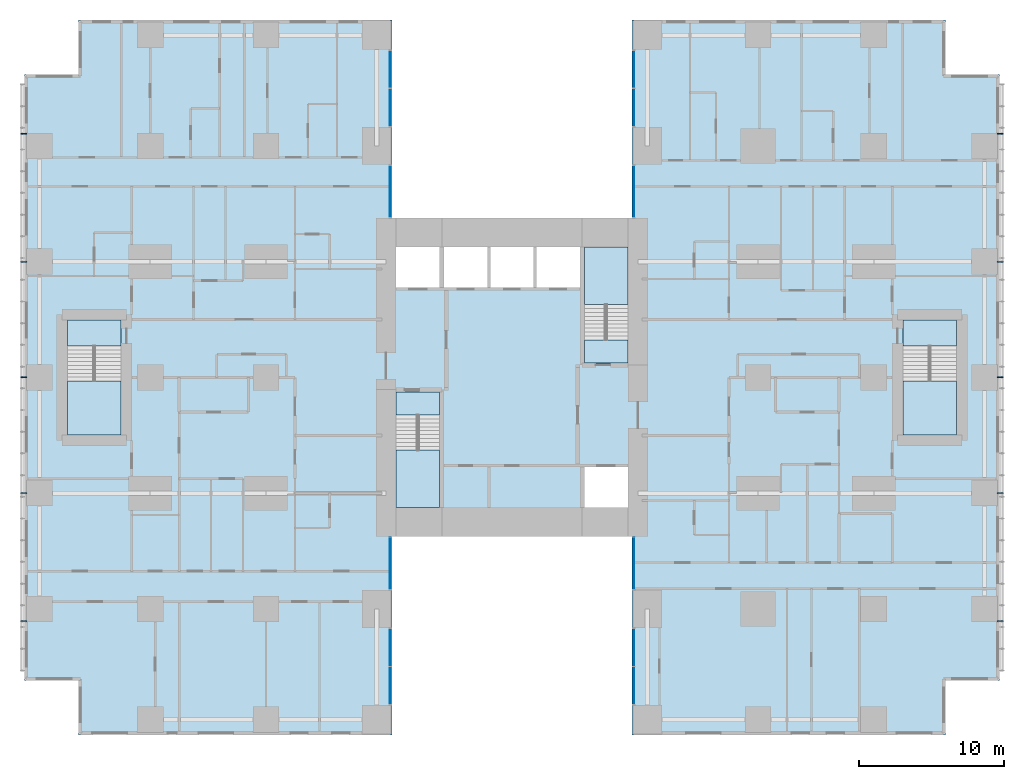
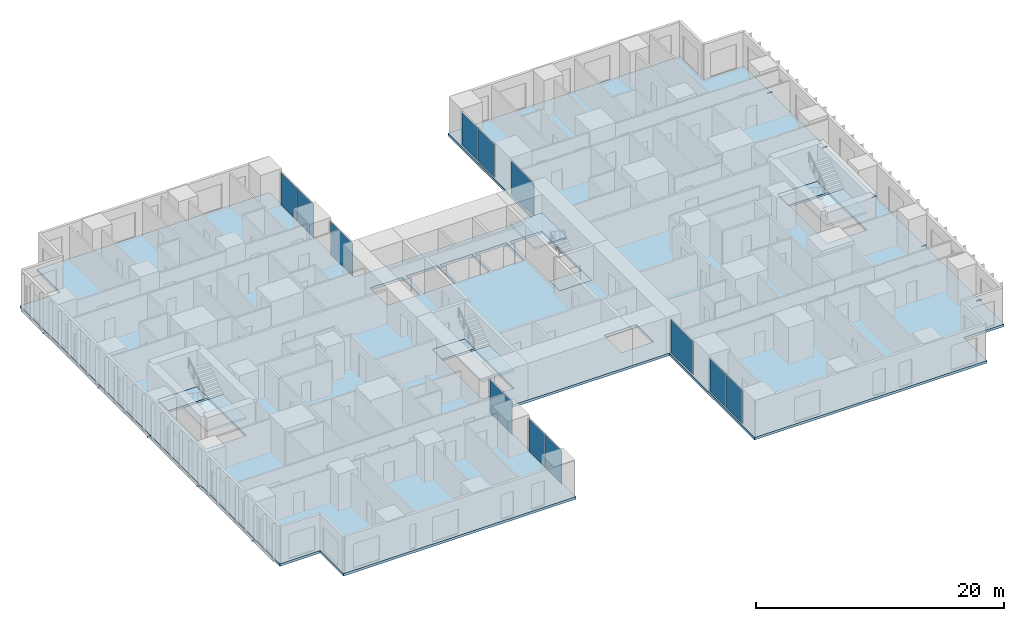
# One storey, part 7 of 20: 12 plates, 10 members, 9 slabs, 12 elements without a shape of their own.
"""IFC4 building model written with IfcOpenShell, lengths in metres."""

from ifc_helpers import new_model, si_unit, direction, frame, origin, origin_2d, place, context, subcontext, project, spatial, polyline, rectangle, hollow_rectangle, outline, extrude, material, layer, layer_set, material_profile, profile_set, type_object, element, aggregate, save


model = new_model("IFC4")

# Units and contexts
model_context = context("Model", 3, precision=1e-05, world=origin(), true_north=direction((0.0, 1.0)))
body_context = subcontext(model_context, "Body", "Model", "MODEL_VIEW")
ifc_project = project(units=[si_unit("LENGTHUNIT", "METRE"), si_unit("AREAUNIT", "SQUARE_METRE"), si_unit("VOLUMEUNIT", "CUBIC_METRE"), si_unit("PLANEANGLEUNIT", "RADIAN"), si_unit("MASSUNIT", "GRAM", prefix="KILO")], contexts=[model_context])

# Site, building, storey
site_placement = place(None, origin())
site = spatial("IfcSite", under=ifc_project, at=site_placement, CompositionType="ELEMENT")
building_placement = place(site_placement, origin())
building = spatial("IfcBuilding", under=site, at=building_placement, Name="Cleftline Residences", CompositionType="ELEMENT")
storey_placement = place(building_placement, frame((0.0, 0.0, 207.39990234375)))
storey = spatial("IfcBuildingStorey", under=building, at=storey_placement, Name="L54", CompositionType="ELEMENT", Elevation=207.39990234375)

# Members
ifc_material_1 = material(Name="Steel S355, hot-dip galvanised", Category="steel")
ifc_material_profile = material_profile(ifc_material_1, hollow_rectangle(XDim=0.10009765625, YDim=0.10009765625, WallThickness=0.008056640625, InnerFilletRadius=0.008056640625, OuterFilletRadius=0.011962890625, at=origin_2d()))
ifc_profile_set = profile_set([ifc_material_profile], Name="Steel S355, hot-dip galvanised")
member_type = type_object("IfcMemberType", Name="BAGUETTE BRACKET SHS 100X100X8", PredefinedType="USERDEFINED", material=ifc_profile_set)
for number, where, z_axis, x_axis, name in (
    (1, (66.5, 7.14990234375, -0.14990234375), (1.0, 0.0, 0.0), (0.0, 1.0, 0.0), "Baguette bracket"),
    (2, (66.5, 16.0, -0.14990234375), (1.0, 0.0, 0.0), (0.0, 1.0, 0.0), "Baguette bracket"),
    (3, (66.5, 24.0, -0.14990234375), (1.0, 0.0, 0.0), (0.0, 1.0, 0.0), "Baguette bracket"),
    (4, (66.5, 32.0, -0.14990234375), (1.0, 0.0, 0.0), (0.0, 1.0, 0.0), "Baguette bracket"),
    (5, (66.5, 40.85009765625, -0.14990234375), (1.0, 0.0, 0.0), (0.0, 1.0, 0.0), "Baguette bracket"),
    (6, (-0.5, 40.85009765625, -0.14990234375), (-1.0, 0.0, 0.0), (0.0, -1.0, 0.0), "Baguette bracket"),
    (7, (-0.5, 32.0, -0.14990234375), (-1.0, 0.0, 0.0), (0.0, -1.0, 0.0), "Baguette bracket"),
    (8, (-0.5, 24.0, -0.14990234375), (-1.0, 0.0, 0.0), (0.0, -1.0, 0.0), "Baguette bracket"),
    (9, (-0.5, 16.0, -0.14990234375), (-1.0, 0.0, 0.0), (0.0, -1.0, 0.0), "Baguette bracket"),
    (10, (-0.5, 7.14990234375, -0.14990234375), (-1.0, 0.0, 0.0), (0.0, -1.0, 0.0), "Baguette bracket"),
):
    element("IfcMember", number, at=place(storey_placement, frame(where, z_axis=z_axis, x_axis=x_axis)), inside=storey, type_object=member_type, Name=name, ObjectType="BAGUETTE BRACKET", PredefinedType="USERDEFINED", context=body_context, shape_type="SweptSolid", body=[
        extrude(hollow_rectangle(XDim=0.10009765625, YDim=0.10009765625, WallThickness=0.008056640625, InnerFilletRadius=0.008056640625, OuterFilletRadius=0.011962890625, at=origin_2d()), origin(), (0.0, 0.0, 1.0), 0.449951171875),
    ])

# Curtain wall, plates
ifc_material_2 = material(Name="Aluminium framed curtain wall", Category="aluminium")
ifc_layer_1 = layer(ifc_material_2, 0.199951171875)
ifc_layer_set_1 = layer_set([ifc_layer_1], Name="CW1 CLEFT GLAZING")
curtain_wall_type = type_object("IfcCurtainWallType", Name="CW1 CLEFT GLAZING", PredefinedType="NOTDEFINED", material=ifc_layer_set_1)
curtain_wall_1_placement = place(storey_placement, origin())
curtain_wall_1 = element("IfcCurtainWall", 11, at=curtain_wall_1_placement, inside=storey, type_object=curtain_wall_type, Name="Curtain wall CW1", PredefinedType="NOTDEFINED")
ifc_material_3 = material(Name="Laminated clear glass", Category="glass")
ifc_layer_2 = layer(ifc_material_3, 0.028076171875)
ifc_layer_set_2 = layer_set([ifc_layer_2], Name="CW1 GLASS PANEL")
plate_type = type_object("IfcPlateType", Name="CW1 GLASS PANEL", PredefinedType="CURTAIN_PANEL", material=ifc_layer_set_2)
plate_1_placement = place(storey_placement, frame((24.574951171875, 2.702392578125, 0.06005859375), z_axis=(0.0, 0.0, 1.0), x_axis=(0.0, 1.0, 0.0)))
plate_1 = element("IfcPlate", 12, at=plate_1_placement, type_object=plate_type, Name="CW1 panel 1.1", PredefinedType="CURTAIN_PANEL", context=body_context, shape_type="SweptSolid", body=[
    extrude(rectangle(XDim=2.5849609375, YDim=0.028076171875, at=origin_2d()), origin(), (0.0, 0.0, 1.0), 3.22998046875),
])
plate_2_placement = place(storey_placement, frame((24.574951171875, 5.347412109375, 0.06005859375), z_axis=(0.0, 0.0, 1.0), x_axis=(0.0, 1.0, 0.0)))
plate_2 = element("IfcPlate", 13, at=plate_2_placement, type_object=plate_type, Name="CW1 panel 2.1", PredefinedType="CURTAIN_PANEL", context=body_context, shape_type="SweptSolid", body=[
    extrude(rectangle(XDim=2.5849609375, YDim=0.028076171875, at=origin_2d()), origin(), (0.0, 0.0, 1.0), 3.22998046875),
])
aggregate(curtain_wall_1, [plate_1, plate_2])

# Curtain wall, plate
curtain_wall_2_placement = place(storey_placement, origin())
curtain_wall_2 = element("IfcCurtainWall", 14, at=curtain_wall_2_placement, inside=storey, type_object=curtain_wall_type, Name="Curtain wall CW1", PredefinedType="NOTDEFINED")
plate_3_placement = place(storey_placement, frame((24.574951171875, 11.14990234375, 0.06005859375), z_axis=(0.0, 0.0, 1.0), x_axis=(0.0, 1.0, 0.0)))
plate_3 = element("IfcPlate", 15, at=plate_3_placement, type_object=plate_type, Name="CW1 panel 1.1", PredefinedType="CURTAIN_PANEL", context=body_context, shape_type="SweptSolid", body=[
    extrude(rectangle(XDim=3.580078125, YDim=0.028076171875, at=origin_2d()), origin(), (0.0, 0.0, 1.0), 3.22998046875),
])
aggregate(curtain_wall_2, [plate_3])

curtain_wall_3_placement = place(storey_placement, origin())
curtain_wall_3 = element("IfcCurtainWall", 16, at=curtain_wall_3_placement, inside=storey, type_object=curtain_wall_type, Name="Curtain wall CW1", PredefinedType="NOTDEFINED")
plate_4_placement = place(storey_placement, frame((41.425048828125, 11.14990234375, 0.06005859375), z_axis=(0.0, 0.0, 1.0), x_axis=(0.0, -1.0, 0.0)))
plate_4 = element("IfcPlate", 17, at=plate_4_placement, type_object=plate_type, Name="CW1 panel 1.1", PredefinedType="CURTAIN_PANEL", context=body_context, shape_type="SweptSolid", body=[
    extrude(rectangle(XDim=3.580078125, YDim=0.028076171875, at=origin_2d()), origin(), (0.0, 0.0, 1.0), 3.22998046875),
])
aggregate(curtain_wall_3, [plate_4])

# Curtain wall, plates
curtain_wall_4_placement = place(storey_placement, origin())
curtain_wall_4 = element("IfcCurtainWall", 18, at=curtain_wall_4_placement, inside=storey, type_object=curtain_wall_type, Name="Curtain wall CW1", PredefinedType="NOTDEFINED")
plate_5_placement = place(storey_placement, frame((41.425048828125, 5.347412109375, 0.06005859375), z_axis=(0.0, 0.0, 1.0), x_axis=(0.0, -1.0, 0.0)))
plate_5 = element("IfcPlate", 19, at=plate_5_placement, type_object=plate_type, Name="CW1 panel 1.1", PredefinedType="CURTAIN_PANEL", context=body_context, shape_type="SweptSolid", body=[
    extrude(rectangle(XDim=2.5849609375, YDim=0.028076171875, at=origin_2d()), origin(), (0.0, 0.0, 1.0), 3.22998046875),
])
plate_6_placement = place(storey_placement, frame((41.425048828125, 2.702392578125, 0.06005859375), z_axis=(0.0, 0.0, 1.0), x_axis=(0.0, -1.0, 0.0)))
plate_6 = element("IfcPlate", 20, at=plate_6_placement, type_object=plate_type, Name="CW1 panel 2.1", PredefinedType="CURTAIN_PANEL", context=body_context, shape_type="SweptSolid", body=[
    extrude(rectangle(XDim=2.5849609375, YDim=0.028076171875, at=origin_2d()), origin(), (0.0, 0.0, 1.0), 3.22998046875),
])
aggregate(curtain_wall_4, [plate_5, plate_6])

curtain_wall_5_placement = place(storey_placement, origin())
curtain_wall_5 = element("IfcCurtainWall", 21, at=curtain_wall_5_placement, inside=storey, type_object=curtain_wall_type, Name="Curtain wall CW1", PredefinedType="NOTDEFINED")
plate_7_placement = place(storey_placement, frame((41.425048828125, 45.297607421875, 0.06005859375), z_axis=(0.0, 0.0, 1.0), x_axis=(0.0, -1.0, 0.0)))
plate_7 = element("IfcPlate", 22, at=plate_7_placement, type_object=plate_type, Name="CW1 panel 1.1", PredefinedType="CURTAIN_PANEL", context=body_context, shape_type="SweptSolid", body=[
    extrude(rectangle(XDim=2.5849609375, YDim=0.028076171875, at=origin_2d()), origin(), (0.0, 0.0, 1.0), 3.22998046875),
])
plate_8_placement = place(storey_placement, frame((41.425048828125, 42.652587890625, 0.06005859375), z_axis=(0.0, 0.0, 1.0), x_axis=(0.0, -1.0, 0.0)))
plate_8 = element("IfcPlate", 23, at=plate_8_placement, type_object=plate_type, Name="CW1 panel 2.1", PredefinedType="CURTAIN_PANEL", context=body_context, shape_type="SweptSolid", body=[
    extrude(rectangle(XDim=2.5849609375, YDim=0.028076171875, at=origin_2d()), origin(), (0.0, 0.0, 1.0), 3.22998046875),
])
aggregate(curtain_wall_5, [plate_7, plate_8])

# Curtain wall, plate
curtain_wall_6_placement = place(storey_placement, origin())
curtain_wall_6 = element("IfcCurtainWall", 24, at=curtain_wall_6_placement, inside=storey, type_object=curtain_wall_type, Name="Curtain wall CW1", PredefinedType="NOTDEFINED")
plate_9_placement = place(storey_placement, frame((41.425048828125, 36.85009765625, 0.06005859375), z_axis=(0.0, 0.0, 1.0), x_axis=(0.0, -1.0, 0.0)))
plate_9 = element("IfcPlate", 25, at=plate_9_placement, type_object=plate_type, Name="CW1 panel 1.1", PredefinedType="CURTAIN_PANEL", context=body_context, shape_type="SweptSolid", body=[
    extrude(rectangle(XDim=3.580078125, YDim=0.028076171875, at=origin_2d()), origin(), (0.0, 0.0, 1.0), 3.22998046875),
])
aggregate(curtain_wall_6, [plate_9])

curtain_wall_7_placement = place(storey_placement, origin())
curtain_wall_7 = element("IfcCurtainWall", 26, at=curtain_wall_7_placement, inside=storey, type_object=curtain_wall_type, Name="Curtain wall CW1", PredefinedType="NOTDEFINED")
plate_10_placement = place(storey_placement, frame((24.574951171875, 36.85009765625, 0.06005859375), z_axis=(0.0, 0.0, 1.0), x_axis=(0.0, 1.0, 0.0)))
plate_10 = element("IfcPlate", 27, at=plate_10_placement, type_object=plate_type, Name="CW1 panel 1.1", PredefinedType="CURTAIN_PANEL", context=body_context, shape_type="SweptSolid", body=[
    extrude(rectangle(XDim=3.580078125, YDim=0.028076171875, at=origin_2d()), origin(), (0.0, 0.0, 1.0), 3.22998046875),
])
aggregate(curtain_wall_7, [plate_10])

# Curtain wall, plates
curtain_wall_8_placement = place(storey_placement, origin())
curtain_wall_8 = element("IfcCurtainWall", 28, at=curtain_wall_8_placement, inside=storey, type_object=curtain_wall_type, Name="Curtain wall CW1", PredefinedType="NOTDEFINED")
plate_11_placement = place(storey_placement, frame((24.574951171875, 42.652587890625, 0.06005859375), z_axis=(0.0, 0.0, 1.0), x_axis=(0.0, 1.0, 0.0)))
plate_11 = element("IfcPlate", 29, at=plate_11_placement, type_object=plate_type, Name="CW1 panel 1.1", PredefinedType="CURTAIN_PANEL", context=body_context, shape_type="SweptSolid", body=[
    extrude(rectangle(XDim=2.5849609375, YDim=0.028076171875, at=origin_2d()), origin(), (0.0, 0.0, 1.0), 3.22998046875),
])
plate_12_placement = place(storey_placement, frame((24.574951171875, 45.297607421875, 0.06005859375), z_axis=(0.0, 0.0, 1.0), x_axis=(0.0, 1.0, 0.0)))
plate_12 = element("IfcPlate", 30, at=plate_12_placement, type_object=plate_type, Name="CW1 panel 2.1", PredefinedType="CURTAIN_PANEL", context=body_context, shape_type="SweptSolid", body=[
    extrude(rectangle(XDim=2.5849609375, YDim=0.028076171875, at=origin_2d()), origin(), (0.0, 0.0, 1.0), 3.22998046875),
])
aggregate(curtain_wall_8, [plate_11, plate_12])

# Slab
ifc_material_4 = material(Name="Concrete B45", Category="concrete")
ifc_layer_3 = layer(ifc_material_4, 0.25)
ifc_layer_set_3 = layer_set([ifc_layer_3], Name="FLOOR SLAB 250")
slab_type_1 = type_object("IfcSlabType", Name="FLOOR SLAB 250", PredefinedType="FLOOR", material=ifc_layer_set_3)
slab_1_placement = place(storey_placement, frame((0.0, 0.0, -0.25)))
element("IfcSlab", 31, at=slab_1_placement, inside=storey, type_object=slab_type_1, Name="Floor slab L54", PredefinedType="FLOOR", context=body_context, shape_type="SweptSolid", body=[
    extrude(outline(polyline([(24.699951171875, 13.0), (41.300048828125, 13.0), (41.300048828125, -0.699951171875), (62.949951171875, -0.699951171875), (62.949951171875, 3.050048828125), (66.699951171875, 3.050048828125), (66.699951171875, 44.949951171875), (62.949951171875, 44.949951171875), (62.949951171875, 48.699951171875), (41.300048828125, 48.699951171875), (41.300048828125, 35.0), (24.699951171875, 35.0), (24.699951171875, 48.699951171875), (3.050048828125, 48.699951171875), (3.050048828125, 44.949951171875), (-0.699951171875, 44.949951171875), (-0.699951171875, 3.050048828125), (3.050048828125, 3.050048828125), (3.050048828125, -0.699951171875), (24.699951171875, -0.699951171875), (24.699951171875, 13.0)]), holes=[polyline([(28.0, 15.0), (28.0, 23.0), (25.0, 23.0), (25.0, 15.0), (28.0, 15.0)]), polyline([(41.0, 25.0), (41.0, 33.0), (38.0, 33.0), (38.0, 25.0), (41.0, 25.0)]), polyline([(28.0, 30.199951171875), (28.0, 33.0), (25.0, 33.0), (25.0, 30.199951171875), (28.0, 30.199951171875)]), polyline([(41.0, 15.0), (41.0, 17.800048828125), (38.0, 17.800048828125), (38.0, 15.0), (41.0, 15.0)]), polyline([(31.300048828125, 30.199951171875), (31.300048828125, 33.0), (28.300048828125, 33.0), (28.300048828125, 30.199951171875), (31.300048828125, 30.199951171875)]), polyline([(34.5, 30.199951171875), (34.5, 33.0), (31.5, 33.0), (31.5, 30.199951171875), (34.5, 30.199951171875)]), polyline([(37.699951171875, 30.199951171875), (37.699951171875, 33.0), (34.699951171875, 33.0), (34.699951171875, 30.199951171875), (37.699951171875, 30.199951171875)]), polyline([(63.72509765625, 20.02490234375), (63.72509765625, 27.97509765625), (60.02490234375, 27.97509765625), (60.02490234375, 20.02490234375), (63.72509765625, 20.02490234375)]), polyline([(5.97509765625, 20.02490234375), (5.97509765625, 27.97509765625), (2.27490234375, 27.97509765625), (2.27490234375, 20.02490234375), (5.97509765625, 20.02490234375)])]), origin(), (0.0, 0.0, 1.0), 0.25),
])

# Stair, slabs
ifc_material_5 = material(Name="Concrete B45, stone treads", Category="masonry")
stair_type_1 = type_object("IfcStairType", Name="STAIR A 1450 WIDE 180 RISER", PredefinedType="HALF_TURN_STAIR", material=ifc_material_5)
stair_1_placement = place(storey_placement, origin())
stair_1 = element("IfcStair", 32, at=stair_1_placement, inside=storey, type_object=stair_type_1, Name="Stair A L54", PredefinedType="HALF_TURN_STAIR")
ifc_material_6 = material(Name="Concrete B45", Category="concrete")
ifc_layer_4 = layer(ifc_material_6, 0.199951171875)
ifc_layer_set_4 = layer_set([ifc_layer_4], Name="STAIR LANDING 200")
slab_type_2 = type_object("IfcSlabType", Name="STAIR LANDING 200", PredefinedType="LANDING", material=ifc_layer_set_4)
slab_2_placement = place(storey_placement, frame((0.0, 0.0, -0.199951171875)))
slab_2 = element("IfcSlab", 33, at=slab_2_placement, type_object=slab_type_2, Name="ST-A landing 1", PredefinedType="LANDING", context=body_context, shape_type="SweptSolid", body=[
    extrude(outline(polyline([(25.0, 21.39990234375), (28.0, 21.39990234375), (28.0, 23.0), (25.0, 23.0), (25.0, 21.39990234375)])), origin(), (0.0, 0.0, 1.0), 0.199951171875),
])
slab_3_placement = place(storey_placement, frame((0.0, 0.0, 1.60009765625)))
slab_3 = element("IfcSlab", 34, at=slab_3_placement, type_object=slab_type_2, Name="ST-A landing 2", PredefinedType="LANDING", context=body_context, shape_type="SweptSolid", body=[
    extrude(outline(polyline([(25.0, 15.0), (28.0, 15.0), (28.0, 18.969970703125), (25.0, 18.969970703125), (25.0, 15.0)])), origin(), (0.0, 0.0, 1.0), 0.199951171875),
])
aggregate(stair_1, [slab_2, slab_3])

ifc_material_7 = material(Name="Concrete B45, stone treads", Category="masonry")
stair_type_2 = type_object("IfcStairType", Name="STAIR B 1450 WIDE 180 RISER", PredefinedType="HALF_TURN_STAIR", material=ifc_material_7)
stair_2_placement = place(storey_placement, origin())
stair_2 = element("IfcStair", 35, at=stair_2_placement, inside=storey, type_object=stair_type_2, Name="Stair B L54", PredefinedType="HALF_TURN_STAIR")
slab_4_placement = place(storey_placement, frame((0.0, 0.0, -0.199951171875)))
slab_4 = element("IfcSlab", 36, at=slab_4_placement, type_object=slab_type_2, Name="ST-B landing 1", PredefinedType="LANDING", context=body_context, shape_type="SweptSolid", body=[
    extrude(outline(polyline([(38.0, 25.0), (41.0, 25.0), (41.0, 26.60009765625), (38.0, 26.60009765625), (38.0, 25.0)])), origin(), (0.0, 0.0, 1.0), 0.199951171875),
])
slab_5_placement = place(storey_placement, frame((0.0, 0.0, 1.60009765625)))
slab_5 = element("IfcSlab", 37, at=slab_5_placement, type_object=slab_type_2, Name="ST-B landing 2", PredefinedType="LANDING", context=body_context, shape_type="SweptSolid", body=[
    extrude(outline(polyline([(38.0, 29.030029296875), (41.0, 29.030029296875), (41.0, 33.0), (38.0, 33.0), (38.0, 29.030029296875)])), origin(), (0.0, 0.0, 1.0), 0.199951171875),
])
aggregate(stair_2, [slab_4, slab_5])

ifc_material_8 = material(Name="Concrete B45, stone treads", Category="masonry")
stair_type_3 = type_object("IfcStairType", Name="STAIR E 1800 WIDE 180 RISER", PredefinedType="HALF_TURN_STAIR", material=ifc_material_8)
stair_3_placement = place(storey_placement, origin())
stair_3 = element("IfcStair", 38, at=stair_3_placement, inside=storey, type_object=stair_type_3, Name="Stair E L54", PredefinedType="HALF_TURN_STAIR")
slab_6_placement = place(storey_placement, frame((0.0, 0.0, -0.199951171875)))
slab_6 = element("IfcSlab", 39, at=slab_6_placement, type_object=slab_type_2, Name="ST-E landing 1", PredefinedType="LANDING", context=body_context, shape_type="SweptSolid", body=[
    extrude(outline(polyline([(60.02490234375, 26.175048828125), (63.72509765625, 26.175048828125), (63.72509765625, 27.97509765625), (60.02490234375, 27.97509765625), (60.02490234375, 26.175048828125)])), origin(), (0.0, 0.0, 1.0), 0.199951171875),
])
slab_7_placement = place(storey_placement, frame((0.0, 0.0, 1.60009765625)))
slab_7 = element("IfcSlab", 40, at=slab_7_placement, type_object=slab_type_2, Name="ST-E landing 2", PredefinedType="LANDING", context=body_context, shape_type="SweptSolid", body=[
    extrude(outline(polyline([(60.02490234375, 20.02490234375), (63.72509765625, 20.02490234375), (63.72509765625, 23.7451171875), (60.02490234375, 23.7451171875), (60.02490234375, 20.02490234375)])), origin(), (0.0, 0.0, 1.0), 0.199951171875),
])
aggregate(stair_3, [slab_6, slab_7])

ifc_material_9 = material(Name="Concrete B45, stone treads", Category="masonry")
stair_type_4 = type_object("IfcStairType", Name="STAIR W 1800 WIDE 180 RISER", PredefinedType="HALF_TURN_STAIR", material=ifc_material_9)
stair_4_placement = place(storey_placement, origin())
stair_4 = element("IfcStair", 41, at=stair_4_placement, inside=storey, type_object=stair_type_4, Name="Stair W L54", PredefinedType="HALF_TURN_STAIR")
slab_8_placement = place(storey_placement, frame((0.0, 0.0, -0.199951171875)))
slab_8 = element("IfcSlab", 42, at=slab_8_placement, type_object=slab_type_2, Name="ST-W landing 1", PredefinedType="LANDING", context=body_context, shape_type="SweptSolid", body=[
    extrude(outline(polyline([(2.27490234375, 26.175048828125), (5.97509765625, 26.175048828125), (5.97509765625, 27.97509765625), (2.27490234375, 27.97509765625), (2.27490234375, 26.175048828125)])), origin(), (0.0, 0.0, 1.0), 0.199951171875),
])
slab_9_placement = place(storey_placement, frame((0.0, 0.0, 1.60009765625)))
slab_9 = element("IfcSlab", 43, at=slab_9_placement, type_object=slab_type_2, Name="ST-W landing 2", PredefinedType="LANDING", context=body_context, shape_type="SweptSolid", body=[
    extrude(outline(polyline([(2.27490234375, 20.02490234375), (5.97509765625, 20.02490234375), (5.97509765625, 23.7451171875), (2.27490234375, 23.7451171875), (2.27490234375, 20.02490234375)])), origin(), (0.0, 0.0, 1.0), 0.199951171875),
])
aggregate(stair_4, [slab_8, slab_9])

save(model, "model.ifc")
